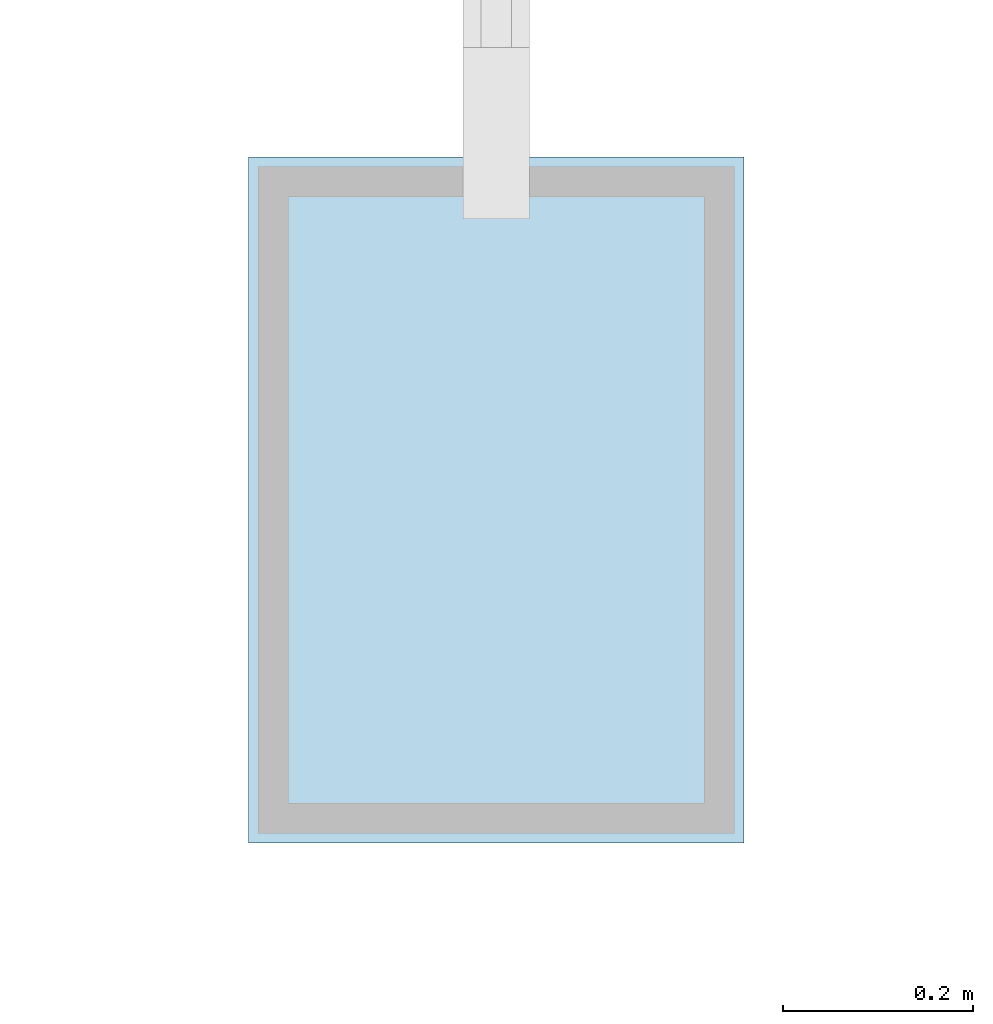
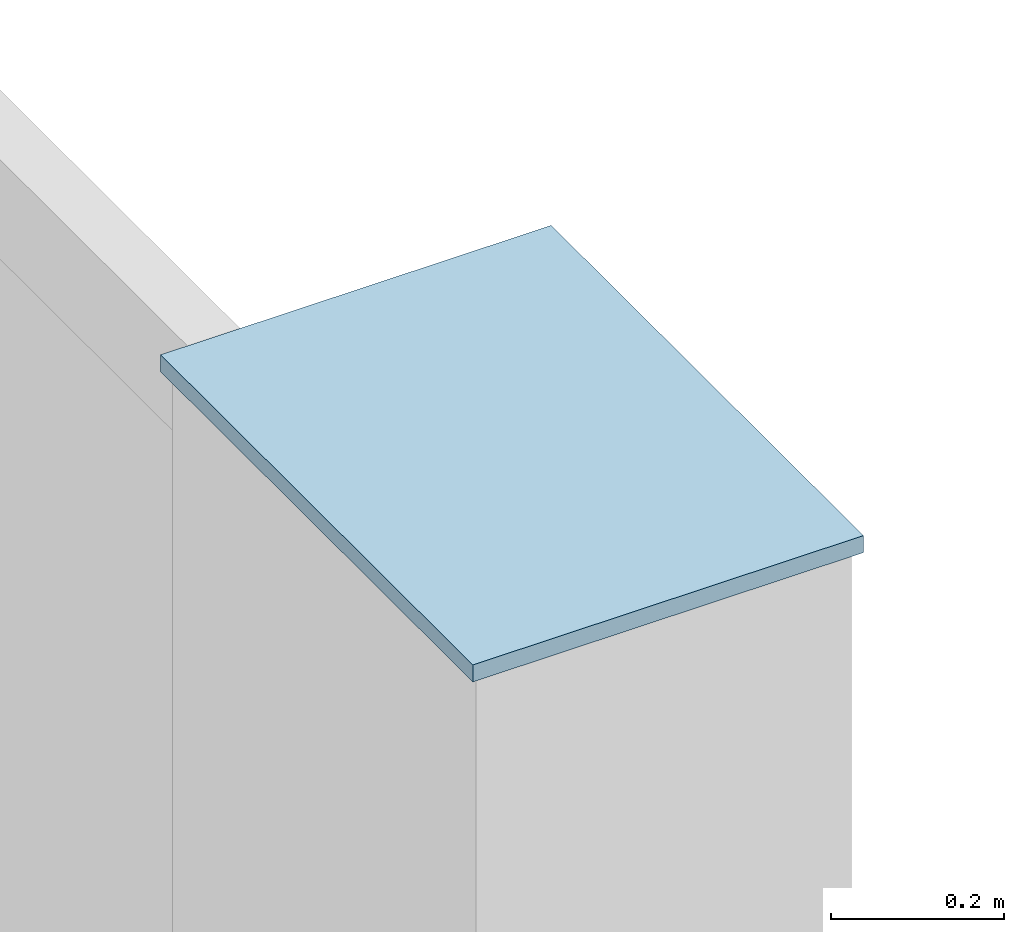
# One storey, part 66 of 82: 1 plate.
"""IFC4 building model written with IfcOpenShell, lengths in metres."""

from ifc_helpers import new_model, si_unit, direction, frame, origin, origin_2d, place, context, subcontext, project, spatial, rectangle, extrude, material, layer, layer_set, type_object, element, save


model = new_model("IFC4")

# Units and contexts
model_context = context("Model", 3, precision=1e-05, world=origin(), true_north=direction((0.0, 1.0)))
body_context = subcontext(model_context, "Body", "Model", "MODEL_VIEW")
ifc_project = project(units=[si_unit("LENGTHUNIT", "METRE"), si_unit("AREAUNIT", "SQUARE_METRE"), si_unit("VOLUMEUNIT", "CUBIC_METRE"), si_unit("PLANEANGLEUNIT", "RADIAN"), si_unit("MASSUNIT", "GRAM", prefix="KILO")], contexts=[model_context])

# Site, building, storey
site_placement = place(None, origin())
site = spatial("IfcSite", under=ifc_project, at=site_placement, CompositionType="ELEMENT")
building_placement = place(site_placement, origin())
building = spatial("IfcBuilding", under=site, at=building_placement, Name="Zarnetskaya Central Station", CompositionType="ELEMENT")
storey_placement = place(building_placement, frame((0.0, 0.0, 10.199951171875)))
storey = spatial("IfcBuildingStorey", under=building, at=storey_placement, Name="L02", CompositionType="ELEMENT", Elevation=10.199951171875)

# Plate
ifc_material = material(Name="Steel S355", Category="steel")
ifc_layer = layer(ifc_material, 0.02392578125, Name="Steel S355", Category="steel")
ifc_layer_set = layer_set([ifc_layer], Name="Steel S355")
plate_type = type_object("IfcPlateType", Name="PL-COL-CAP-EXT", PredefinedType="USERDEFINED", material=ifc_layer_set)
plate_placement = place(storey_placement, frame((124.800048828125, 67.199951171875, 4.176025390625), z_axis=(0.0, 0.0, 1.0), x_axis=(1.0, 0.0, 0.0)))
element("IfcPlate", 1, at=plate_placement, inside=storey, type_object=plate_type, Name="Hollow column sealed end-cap plate 114", ObjectType="END CAP PLATE", PredefinedType="USERDEFINED", context=body_context, shape_type="SweptSolid", body=[
    extrude(rectangle(XDim=0.52001953125, YDim=0.719970703125, at=origin_2d()), origin(), (0.0, 0.0, 1.0), 0.02392578125),
])

save(model, "model.ifc")
